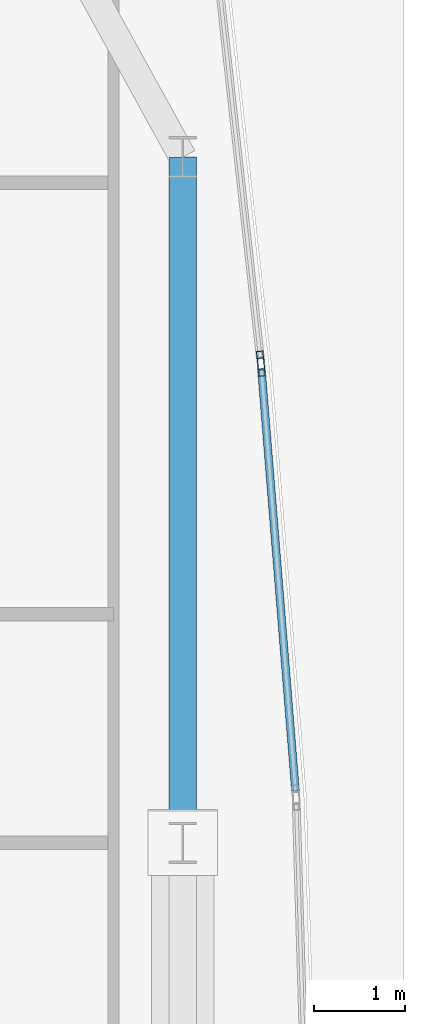
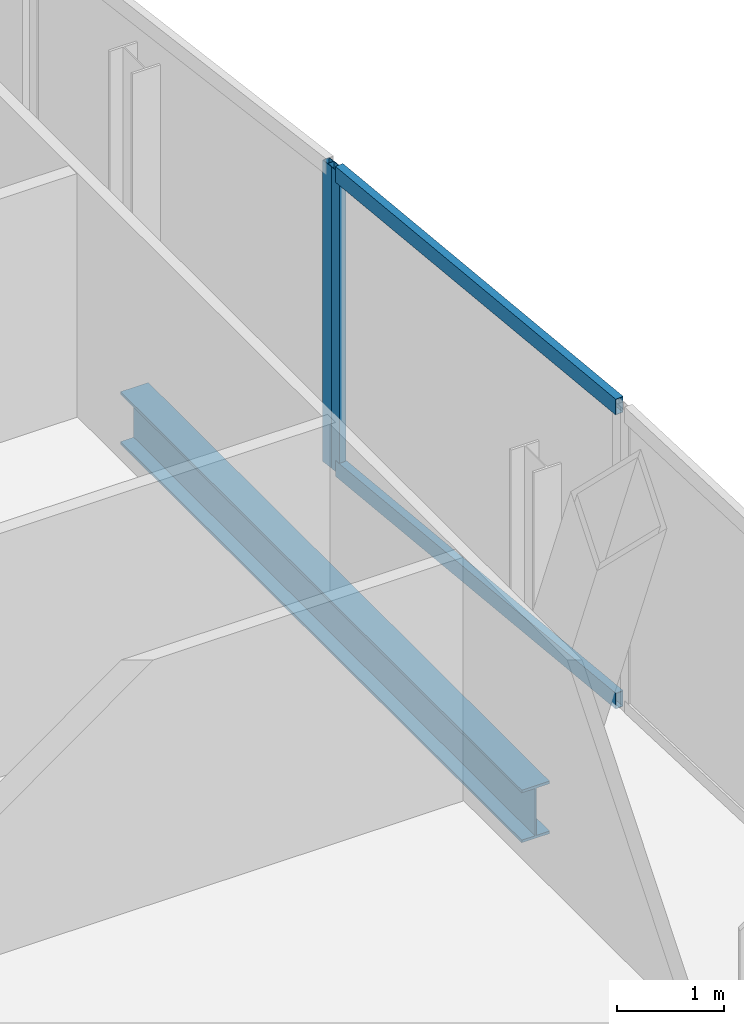
# One storey, part 19 of 30: 4 members, 1 beam, 2 elements without a shape of their own.
"""IFC4 building model written with IfcOpenShell, lengths in metres."""

import ifcopenshell
import ifcopenshell.guid

model = None  # the IFC model being written
_history = None  # IfcOwnerHistory: only IFC2X3 demands one
_inside = {}  # id of a spatial element -> (the spatial element, [elements in it])
_under = {}  # id of a project, library or spatial element -> (it, [spatial elements below it])
_declared = {}  # id of a project -> (the project, [libraries it declares])
_typed = {}  # id of a type object -> (the type object, [elements of that type])
_made_of = {}  # id of a material, layer set ... -> (it, [elements and type objects made of it])


def new_model(schema):
    """Start an empty IFC model of exactly this schema.

    Asked for "IFC4X3", IfcOpenShell would pick the latest addendum, in which some entities
    have other attributes; the version numbers below select the first issue.
    IFC2X3 requires an IfcOwnerHistory on every rooted entity: one is made here for all.
    """
    global model, _history
    if schema == "IFC4X3":
        model = ifcopenshell.file(schema_version=(4, 3, 0, 0))
    else:
        model = ifcopenshell.file(schema=schema)
    _inside.clear()
    _under.clear()
    _declared.clear()
    _typed.clear()
    _made_of.clear()
    _history = None
    if model.schema == "IFC2X3":
        org = make("IfcOrganization", Name="unknown")
        user = make(
            "IfcPersonAndOrganization",
            ThePerson=make("IfcPerson", FamilyName="unknown"),
            TheOrganization=org,
        )
        app = make(
            "IfcApplication",
            ApplicationDeveloper=org,
            Version="unknown",
            ApplicationFullName="unknown",
            ApplicationIdentifier="unknown",
        )
        _history = make(
            "IfcOwnerHistory",
            OwningUser=user,
            OwningApplication=app,
            ChangeAction="ADDED",
            CreationDate=0,
        )
    return model


def make(cls, **values):
    """One entity of the class cls with the attributes given. An attribute that is None is left unset."""
    return model.create_entity(
        cls, **{name: value for name, value in values.items() if value is not None}
    )


def rooted(cls, **values):
    """An entity with a GlobalId (a new one), such as an element, a storey or a relation."""
    return make(cls, GlobalId=ifcopenshell.guid.new(), OwnerHistory=_history, **values)


def si_unit(unit_type, name, prefix=None):
    """IfcSIUnit, for example si_unit("LENGTHUNIT", "METRE", prefix="MILLI")."""
    return make("IfcSIUnit", UnitType=unit_type, Prefix=prefix, Name=name)


def assignment(units):
    """IfcUnitAssignment: the units of a project."""
    return None if units is None else make("IfcUnitAssignment", Units=units)


def point(xyz):
    """IfcCartesianPoint."""
    return None if xyz is None else make("IfcCartesianPoint", Coordinates=xyz)


def direction(xyz):
    """IfcDirection."""
    return None if xyz is None else make("IfcDirection", DirectionRatios=xyz)


def frame(location, z_axis=None, x_axis=None):
    """IfcAxis2Placement3D, a coordinate frame: its origin and axes. An axis left out is left unset."""
    return make(
        "IfcAxis2Placement3D",
        Location=point(location),
        Axis=direction(z_axis),
        RefDirection=direction(x_axis),
    )


def frame_2d(location, x_axis=None):
    """IfcAxis2Placement2D, a coordinate frame in the plane: its origin and x axis."""
    return make(
        "IfcAxis2Placement2D", Location=point(location), RefDirection=direction(x_axis)
    )


def origin():
    """The frame at (0, 0, 0) with its axes left unset."""
    return frame((0.0, 0.0, 0.0))


def origin_2d():
    """The frame at (0, 0) in the plane with its x axis left unset."""
    return frame_2d((0.0, 0.0))


def place(relative_to, where):
    """IfcLocalPlacement: puts the frame where relative to a parent placement (None: the world)."""
    return make(
        "IfcLocalPlacement", PlacementRelTo=relative_to, RelativePlacement=where
    )


def context(
    kind, dimensions, precision=None, world=None, true_north=None, identifier=None
):
    """IfcGeometricRepresentationContext, for example the 3D "Model" context."""
    return make(
        "IfcGeometricRepresentationContext",
        ContextIdentifier=identifier,
        ContextType=kind,
        CoordinateSpaceDimension=dimensions,
        Precision=precision,
        WorldCoordinateSystem=world,
        TrueNorth=true_north,
    )


def subcontext(parent, identifier, kind, view, scale=None):
    """IfcGeometricRepresentationSubContext, for example "Body" below "Model"."""
    return make(
        "IfcGeometricRepresentationSubContext",
        ContextIdentifier=identifier,
        ContextType=kind,
        ParentContext=parent,
        TargetScale=scale,
        TargetView=view,
    )


def project(units=None, contexts=None):
    """IfcProject with its units and contexts."""
    return rooted(
        "IfcProject",
        Name="project",
        RepresentationContexts=contexts,
        UnitsInContext=assignment(units),
    )


def spatial(cls, under=None, at=None, **own):
    """A site, building, storey or space (cls), placed at a placement, below another one or the project."""
    s = rooted(cls, ObjectPlacement=at, **own)
    if under is not None:
        _under.setdefault(under.id(), (under, []))[1].append(s)
    return s


def profile(cls, at=None, kind="AREA", **sizes):
    """A parametric profile (cls). Its sizes go by their IFC names, for example OverallWidth=200.0."""
    return make(cls, ProfileType=kind, Position=at, **sizes)


def hollow_rectangle(**sizes):
    """IfcRectangleHollowProfileDef."""
    return profile("IfcRectangleHollowProfileDef", **sizes)


def i_section(**sizes):
    """IfcIShapeProfileDef."""
    return profile("IfcIShapeProfileDef", **sizes)


def extrude(swept, where, along, depth):
    """IfcExtrudedAreaSolid: the profile swept, set in the frame where, extruded along a direction by depth."""
    return make(
        "IfcExtrudedAreaSolid",
        SweptArea=swept,
        Position=where,
        ExtrudedDirection=direction(along),
        Depth=depth,
    )


def shape(context_of_items, identifier, shape_type, items):
    """IfcShapeRepresentation: the items that make up one representation, for example the "Body"."""
    return make(
        "IfcShapeRepresentation",
        ContextOfItems=context_of_items,
        RepresentationIdentifier=identifier,
        RepresentationType=shape_type,
        Items=items,
    )


def material(Name=None, Category=None):
    """IfcMaterial."""
    return make("IfcMaterial", Name=Name, Category=Category)


def material_profile(
    of_material, cross_section, Name=None, Category=None, Priority=None
):
    """IfcMaterialProfile: a cross section and its material."""
    return make(
        "IfcMaterialProfile",
        Name=Name,
        Material=of_material,
        Profile=cross_section,
        Priority=Priority,
        Category=Category,
    )


def profile_set(profiles, Name=None, composite=None):
    """IfcMaterialProfileSet."""
    return make(
        "IfcMaterialProfileSet",
        Name=Name,
        MaterialProfiles=profiles,
        CompositeProfile=composite,
    )


def made_of(thing, what):
    """Note that an element or type object is made of a material, layer set ...; save() writes the relation."""
    if what is not None:
        _made_of.setdefault(what.id(), (what, []))[1].append(thing)
    return thing


def type_object(cls, material=None, **own):
    """A type object (cls), such as IfcWallType, which elements share."""
    return made_of(rooted(cls, **own), material)


def element(
    cls,
    number,
    at=None,
    inside=None,
    cuts=None,
    type_object=None,
    material=None,
    context=None,
    identifier="Body",
    shape_type=None,
    held_by="IfcProductDefinitionShape",
    body=None,
    shapes=None,
    **own,
):
    """One element of the class cls, such as IfcWall. Its Tag is "e" and its number.

    at: its placement. inside: the storey or other place that contains it. cuts: it is an
    opening in that element (IfcRelVoidsElement). A single representation is given by context,
    identifier, shape_type and body (its items); several are given by shapes. held_by: the class
    of the entity that holds the representations. save() writes the other relations.
    """
    e = rooted(cls, Tag="e%d" % number, ObjectPlacement=at, **own)
    if body is not None:
        shapes = [shape(context, identifier, shape_type, body)]
    if shapes is not None:
        e.Representation = make(held_by, Representations=shapes)
    if inside is not None:
        _inside.setdefault(inside.id(), (inside, []))[1].append(e)
    if cuts is not None:
        rooted(
            "IfcRelVoidsElement", RelatingBuildingElement=cuts, RelatedOpeningElement=e
        )
    if type_object is not None:
        _typed.setdefault(type_object.id(), (type_object, []))[1].append(e)
    return made_of(e, material)


def aggregate(whole, parts):
    """IfcRelAggregates: a whole, such as a stair, and the parts it consists of."""
    return rooted("IfcRelAggregates", RelatingObject=whole, RelatedObjects=parts)


def save(model, path):
    """Write the relations noted so far, then the file.

    IfcRelAggregates (storeys below a building ...), IfcRelContainedInSpatialStructure (elements
    in a storey), IfcRelDefinesByType, IfcRelAssociatesMaterial and IfcRelDeclares: one each for
    every whole, place, type object, material and project.
    """
    for whole, parts in _under.values():
        aggregate(whole, parts)
    for where, things in _inside.values():
        rooted(
            "IfcRelContainedInSpatialStructure",
            RelatedElements=things,
            RelatingStructure=where,
        )
    for kind, things in _typed.values():
        rooted("IfcRelDefinesByType", RelatedObjects=things, RelatingType=kind)
    for what, things in _made_of.values():
        rooted("IfcRelAssociatesMaterial", RelatedObjects=things, RelatingMaterial=what)
    for by, libraries in _declared.values():
        rooted("IfcRelDeclares", RelatingContext=by, RelatedDefinitions=libraries)
    model.write(path)


model = new_model("IFC4")

# Units and contexts
model_context = context("Model", 3, precision=1e-05, world=origin(), true_north=direction((0.0, 1.0)))
body_context = subcontext(model_context, "Body", "Model", "MODEL_VIEW")
ifc_project = project(units=[si_unit("LENGTHUNIT", "METRE"), si_unit("AREAUNIT", "SQUARE_METRE"), si_unit("VOLUMEUNIT", "CUBIC_METRE"), si_unit("PLANEANGLEUNIT", "RADIAN"), si_unit("MASSUNIT", "GRAM", prefix="KILO")], contexts=[model_context])

# Site, building, storey
site_placement = place(None, origin())
site = spatial("IfcSite", under=ifc_project, at=site_placement, CompositionType="ELEMENT")
building_placement = place(site_placement, origin())
building = spatial("IfcBuilding", under=site, at=building_placement, Name="Khoronbel Lancet Exchange", CompositionType="ELEMENT")
storey_placement = place(building_placement, frame((0.0, 0.0, 239.0)))
storey = spatial("IfcBuildingStorey", under=building, at=storey_placement, Name="L61", CompositionType="ELEMENT", Elevation=239.0)

# Beam
ifc_material_1 = material(Name="Steel S355", Category="steel")
ifc_material_profile_1 = material_profile(ifc_material_1, i_section(OverallWidth=0.300048828125, OverallDepth=0.60009765625, WebThickness=0.015380859375, FlangeThickness=0.030029296875, at=origin_2d()), Name="HEB 600")
ifc_profile_set_1 = profile_set([ifc_material_profile_1], Name="Steel S355")
beam_type = type_object("IfcBeamType", Name="BM-BSP2", PredefinedType="SPANDREL", material=ifc_profile_set_1)
beam_placement = place(storey_placement, frame((63.6298828125, 35.699951171875, -0.4599609375), z_axis=(0.0, 1.0, 0.0), x_axis=(-1.0, 0.0, 0.0)))
element("IfcBeam", 1, at=beam_placement, inside=storey, type_object=beam_type, Name="Level L61 perimeter spandrel beam SP12", PredefinedType="SPANDREL", context=body_context, shape_type="SweptSolid", body=[
    extrude(i_section(OverallWidth=0.300048828125, OverallDepth=0.60009765625, WebThickness=0.015380859375, FlangeThickness=0.030029296875, at=origin_2d()), origin(), (0.0, 0.0, 1.0), 7.5),
])

# Curtain wall, member
ifc_material_2 = material(Name="Low-E Solar Control Insulating Glass", Category="glass")
curtain_wall_type = type_object("IfcCurtainWallType", Name="CW-4", PredefinedType="NOTDEFINED", material=ifc_material_2)
curtain_wall_1_placement = place(storey_placement, origin())
curtain_wall_1 = element("IfcCurtainWall", 2, at=curtain_wall_1_placement, inside=storey, type_object=curtain_wall_type, Name="Unitised curtain wall CW-L61-E17", PredefinedType="NOTDEFINED")
ifc_material_3 = material(Name="Bronze-Anodised Aluminium 6063-T6", Category="aluminium")
ifc_material_profile_2 = material_profile(ifc_material_3, hollow_rectangle(XDim=0.074951171875, YDim=0.199951171875, WallThickness=0.0048828125, at=origin_2d()), Name="ALU MULLION 75x200")
ifc_profile_set_2 = profile_set([ifc_material_profile_2], Name="Bronze-Anodised Aluminium 6063-T6")
member_type_1 = type_object("IfcMemberType", Name="MEM-CWM2", PredefinedType="MULLION", material=ifc_profile_set_2)
member_1_placement = place(storey_placement, frame((64.481201171875, 40.978759765625, 0.0), z_axis=(0.0, 0.0, 1.0), x_axis=(0.993947317123, 0.109857775256, 0.0)))
member_1 = element("IfcMember", 3, at=member_1_placement, type_object=member_type_1, Name="CW4 mullion 2", PredefinedType="MULLION", context=body_context, shape_type="SweptSolid", body=[
    extrude(hollow_rectangle(XDim=0.074951171875, YDim=0.199951171875, WallThickness=0.0048828125, at=origin_2d()), origin(), (0.0, 0.0, 1.0), 3.43994140625),
])
aggregate(curtain_wall_1, [member_1])

# Curtain wall, members
curtain_wall_2_placement = place(storey_placement, origin())
curtain_wall_2 = element("IfcCurtainWall", 4, at=curtain_wall_2_placement, inside=storey, type_object=curtain_wall_type, Name="Unitised curtain wall CW-L61-E18", PredefinedType="NOTDEFINED")
member_2_placement = place(storey_placement, frame((64.488525390625, 40.904052734375, 0.0), z_axis=(0.0, 0.0, 1.0), x_axis=(0.996743296731, 0.080639943095, 0.0)))
member_2 = element("IfcMember", 5, at=member_2_placement, type_object=member_type_1, Name="CW4 mullion 1", PredefinedType="MULLION", context=body_context, shape_type="SweptSolid", body=[
    extrude(hollow_rectangle(XDim=0.074951171875, YDim=0.199951171875, WallThickness=0.0048828125, at=origin_2d()), origin(), (0.0, 0.0, 1.0), 3.43994140625),
])
ifc_material_profile_3 = material_profile(ifc_material_3, hollow_rectangle(XDim=0.0849609375, YDim=0.179931640625, WallThickness=0.0048828125, at=origin_2d()), Name="ALU TRANSOM 85x180")
ifc_profile_set_3 = profile_set([ifc_material_profile_3], Name="Bronze-Anodised Aluminium 6063-T6")
member_type_2 = type_object("IfcMemberType", Name="MEM-CWT1", PredefinedType="USERDEFINED", material=ifc_profile_set_3)
member_3_placement = place(storey_placement, frame((64.491455078125, 40.86669921875, 0.04248046875), z_axis=(0.080622560017, -0.996744702929, 0.0), x_axis=(0.996744702929, 0.080622560017, 0.0)))
member_3 = element("IfcMember", 6, at=member_3_placement, type_object=member_type_2, Name="CW4 transom 1.1", ObjectType="TRANSOM", PredefinedType="USERDEFINED", context=body_context, shape_type="SweptSolid", body=[
    extrude(hollow_rectangle(XDim=0.0849609375, YDim=0.179931640625, WallThickness=0.0048828125, at=origin_2d()), origin(), (0.0, 0.0, 1.0), 4.61181640625),
])
member_4_placement = place(storey_placement, frame((64.491455078125, 40.86669921875, 3.3974609375), z_axis=(0.080622560017, -0.996744702929, 0.0), x_axis=(0.996744702929, 0.080622560017, 0.0)))
member_4 = element("IfcMember", 7, at=member_4_placement, type_object=member_type_2, Name="CW4 transom 1.2", ObjectType="TRANSOM", PredefinedType="USERDEFINED", context=body_context, shape_type="SweptSolid", body=[
    extrude(hollow_rectangle(XDim=0.0849609375, YDim=0.179931640625, WallThickness=0.0048828125, at=origin_2d()), origin(), (0.0, 0.0, 1.0), 4.61181640625),
])
aggregate(curtain_wall_2, [member_2, member_3, member_4])

save(model, "model.ifc")
